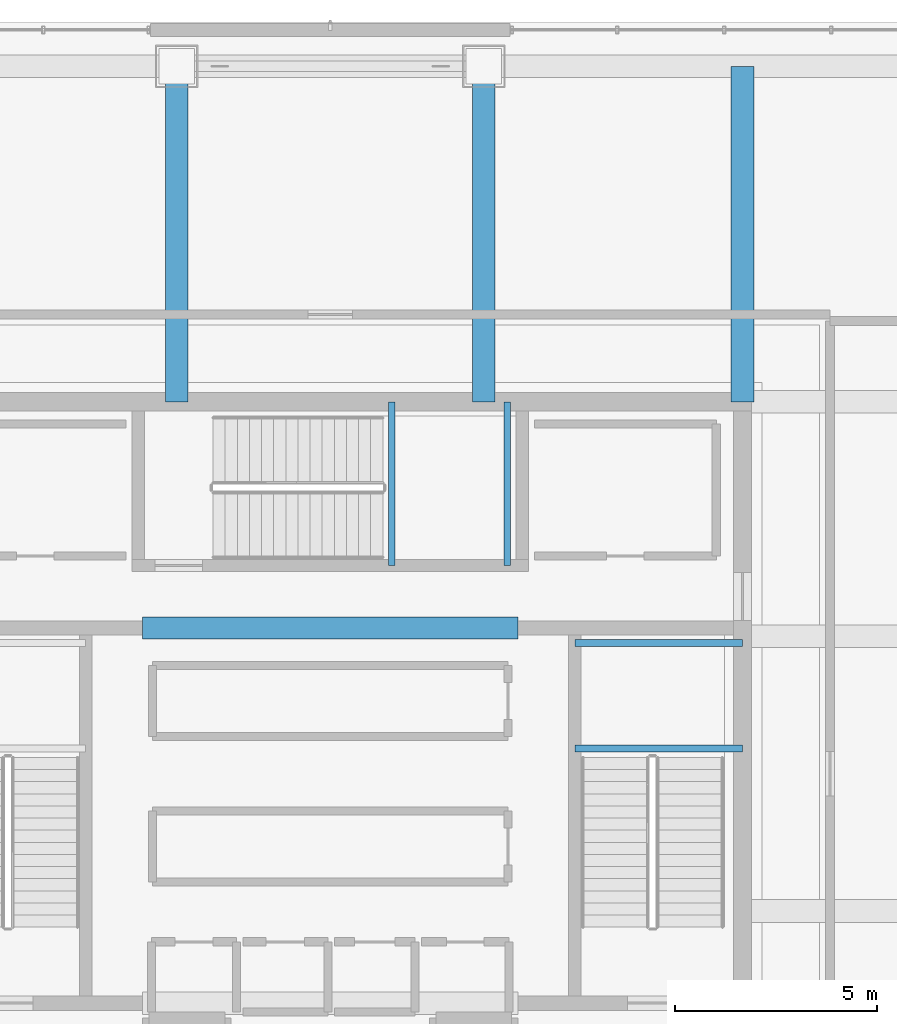
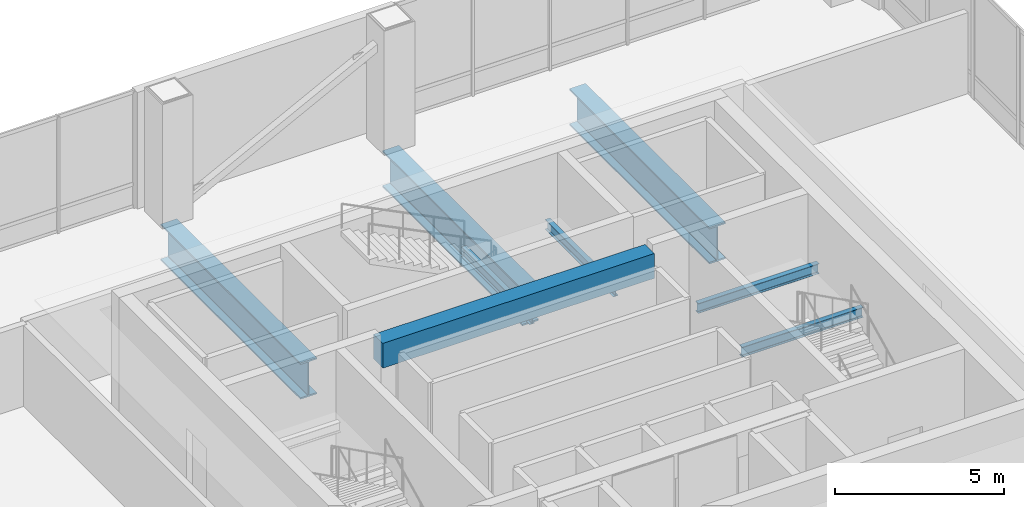
# One storey, part 13 of 33: 8 beams.
"""IFC4 building model written with IfcOpenShell, lengths in metres."""

import ifcopenshell
import ifcopenshell.guid

model = None  # the IFC model being written
_history = None  # IfcOwnerHistory: only IFC2X3 demands one
_inside = {}  # id of a spatial element -> (the spatial element, [elements in it])
_under = {}  # id of a project, library or spatial element -> (it, [spatial elements below it])
_declared = {}  # id of a project -> (the project, [libraries it declares])
_typed = {}  # id of a type object -> (the type object, [elements of that type])
_made_of = {}  # id of a material, layer set ... -> (it, [elements and type objects made of it])


def new_model(schema):
    """Start an empty IFC model of exactly this schema.

    Asked for "IFC4X3", IfcOpenShell would pick the latest addendum, in which some entities
    have other attributes; the version numbers below select the first issue.
    IFC2X3 requires an IfcOwnerHistory on every rooted entity: one is made here for all.
    """
    global model, _history
    if schema == "IFC4X3":
        model = ifcopenshell.file(schema_version=(4, 3, 0, 0))
    else:
        model = ifcopenshell.file(schema=schema)
    _inside.clear()
    _under.clear()
    _declared.clear()
    _typed.clear()
    _made_of.clear()
    _history = None
    if model.schema == "IFC2X3":
        org = make("IfcOrganization", Name="unknown")
        user = make(
            "IfcPersonAndOrganization",
            ThePerson=make("IfcPerson", FamilyName="unknown"),
            TheOrganization=org,
        )
        app = make(
            "IfcApplication",
            ApplicationDeveloper=org,
            Version="unknown",
            ApplicationFullName="unknown",
            ApplicationIdentifier="unknown",
        )
        _history = make(
            "IfcOwnerHistory",
            OwningUser=user,
            OwningApplication=app,
            ChangeAction="ADDED",
            CreationDate=0,
        )
    return model


def make(cls, **values):
    """One entity of the class cls with the attributes given. An attribute that is None is left unset."""
    return model.create_entity(
        cls, **{name: value for name, value in values.items() if value is not None}
    )


def rooted(cls, **values):
    """An entity with a GlobalId (a new one), such as an element, a storey or a relation."""
    return make(cls, GlobalId=ifcopenshell.guid.new(), OwnerHistory=_history, **values)


def si_unit(unit_type, name, prefix=None):
    """IfcSIUnit, for example si_unit("LENGTHUNIT", "METRE", prefix="MILLI")."""
    return make("IfcSIUnit", UnitType=unit_type, Prefix=prefix, Name=name)


def assignment(units):
    """IfcUnitAssignment: the units of a project."""
    return None if units is None else make("IfcUnitAssignment", Units=units)


def point(xyz):
    """IfcCartesianPoint."""
    return None if xyz is None else make("IfcCartesianPoint", Coordinates=xyz)


def direction(xyz):
    """IfcDirection."""
    return None if xyz is None else make("IfcDirection", DirectionRatios=xyz)


def frame(location, z_axis=None, x_axis=None):
    """IfcAxis2Placement3D, a coordinate frame: its origin and axes. An axis left out is left unset."""
    return make(
        "IfcAxis2Placement3D",
        Location=point(location),
        Axis=direction(z_axis),
        RefDirection=direction(x_axis),
    )


def frame_2d(location, x_axis=None):
    """IfcAxis2Placement2D, a coordinate frame in the plane: its origin and x axis."""
    return make(
        "IfcAxis2Placement2D", Location=point(location), RefDirection=direction(x_axis)
    )


def origin():
    """The frame at (0, 0, 0) with its axes left unset."""
    return frame((0.0, 0.0, 0.0))


def origin_2d():
    """The frame at (0, 0) in the plane with its x axis left unset."""
    return frame_2d((0.0, 0.0))


def place(relative_to, where):
    """IfcLocalPlacement: puts the frame where relative to a parent placement (None: the world)."""
    return make(
        "IfcLocalPlacement", PlacementRelTo=relative_to, RelativePlacement=where
    )


def context(
    kind, dimensions, precision=None, world=None, true_north=None, identifier=None
):
    """IfcGeometricRepresentationContext, for example the 3D "Model" context."""
    return make(
        "IfcGeometricRepresentationContext",
        ContextIdentifier=identifier,
        ContextType=kind,
        CoordinateSpaceDimension=dimensions,
        Precision=precision,
        WorldCoordinateSystem=world,
        TrueNorth=true_north,
    )


def subcontext(parent, identifier, kind, view, scale=None):
    """IfcGeometricRepresentationSubContext, for example "Body" below "Model"."""
    return make(
        "IfcGeometricRepresentationSubContext",
        ContextIdentifier=identifier,
        ContextType=kind,
        ParentContext=parent,
        TargetScale=scale,
        TargetView=view,
    )


def project(units=None, contexts=None):
    """IfcProject with its units and contexts."""
    return rooted(
        "IfcProject",
        Name="project",
        RepresentationContexts=contexts,
        UnitsInContext=assignment(units),
    )


def spatial(cls, under=None, at=None, **own):
    """A site, building, storey or space (cls), placed at a placement, below another one or the project."""
    s = rooted(cls, ObjectPlacement=at, **own)
    if under is not None:
        _under.setdefault(under.id(), (under, []))[1].append(s)
    return s


def profile(cls, at=None, kind="AREA", **sizes):
    """A parametric profile (cls). Its sizes go by their IFC names, for example OverallWidth=200.0."""
    return make(cls, ProfileType=kind, Position=at, **sizes)


def rectangle(**sizes):
    """IfcRectangleProfileDef."""
    return profile("IfcRectangleProfileDef", **sizes)


def i_section(**sizes):
    """IfcIShapeProfileDef."""
    return profile("IfcIShapeProfileDef", **sizes)


def extrude(swept, where, along, depth):
    """IfcExtrudedAreaSolid: the profile swept, set in the frame where, extruded along a direction by depth."""
    return make(
        "IfcExtrudedAreaSolid",
        SweptArea=swept,
        Position=where,
        ExtrudedDirection=direction(along),
        Depth=depth,
    )


def shape(context_of_items, identifier, shape_type, items):
    """IfcShapeRepresentation: the items that make up one representation, for example the "Body"."""
    return make(
        "IfcShapeRepresentation",
        ContextOfItems=context_of_items,
        RepresentationIdentifier=identifier,
        RepresentationType=shape_type,
        Items=items,
    )


def material(Name=None, Category=None):
    """IfcMaterial."""
    return make("IfcMaterial", Name=Name, Category=Category)


def material_profile(
    of_material, cross_section, Name=None, Category=None, Priority=None
):
    """IfcMaterialProfile: a cross section and its material."""
    return make(
        "IfcMaterialProfile",
        Name=Name,
        Material=of_material,
        Profile=cross_section,
        Priority=Priority,
        Category=Category,
    )


def profile_set(profiles, Name=None, composite=None):
    """IfcMaterialProfileSet."""
    return make(
        "IfcMaterialProfileSet",
        Name=Name,
        MaterialProfiles=profiles,
        CompositeProfile=composite,
    )


def made_of(thing, what):
    """Note that an element or type object is made of a material, layer set ...; save() writes the relation."""
    if what is not None:
        _made_of.setdefault(what.id(), (what, []))[1].append(thing)
    return thing


def type_object(cls, material=None, **own):
    """A type object (cls), such as IfcWallType, which elements share."""
    return made_of(rooted(cls, **own), material)


def element(
    cls,
    number,
    at=None,
    inside=None,
    cuts=None,
    type_object=None,
    material=None,
    context=None,
    identifier="Body",
    shape_type=None,
    held_by="IfcProductDefinitionShape",
    body=None,
    shapes=None,
    **own,
):
    """One element of the class cls, such as IfcWall. Its Tag is "e" and its number.

    at: its placement. inside: the storey or other place that contains it. cuts: it is an
    opening in that element (IfcRelVoidsElement). A single representation is given by context,
    identifier, shape_type and body (its items); several are given by shapes. held_by: the class
    of the entity that holds the representations. save() writes the other relations.
    """
    e = rooted(cls, Tag="e%d" % number, ObjectPlacement=at, **own)
    if body is not None:
        shapes = [shape(context, identifier, shape_type, body)]
    if shapes is not None:
        e.Representation = make(held_by, Representations=shapes)
    if inside is not None:
        _inside.setdefault(inside.id(), (inside, []))[1].append(e)
    if cuts is not None:
        rooted(
            "IfcRelVoidsElement", RelatingBuildingElement=cuts, RelatedOpeningElement=e
        )
    if type_object is not None:
        _typed.setdefault(type_object.id(), (type_object, []))[1].append(e)
    return made_of(e, material)


def aggregate(whole, parts):
    """IfcRelAggregates: a whole, such as a stair, and the parts it consists of."""
    return rooted("IfcRelAggregates", RelatingObject=whole, RelatedObjects=parts)


def save(model, path):
    """Write the relations noted so far, then the file.

    IfcRelAggregates (storeys below a building ...), IfcRelContainedInSpatialStructure (elements
    in a storey), IfcRelDefinesByType, IfcRelAssociatesMaterial and IfcRelDeclares: one each for
    every whole, place, type object, material and project.
    """
    for whole, parts in _under.values():
        aggregate(whole, parts)
    for where, things in _inside.values():
        rooted(
            "IfcRelContainedInSpatialStructure",
            RelatedElements=things,
            RelatingStructure=where,
        )
    for kind, things in _typed.values():
        rooted("IfcRelDefinesByType", RelatedObjects=things, RelatingType=kind)
    for what, things in _made_of.values():
        rooted("IfcRelAssociatesMaterial", RelatedObjects=things, RelatingMaterial=what)
    for by, libraries in _declared.values():
        rooted("IfcRelDeclares", RelatingContext=by, RelatedDefinitions=libraries)
    model.write(path)


model = new_model("IFC4")

# Units and contexts
model_context = context("Model", 3, precision=1e-05, world=origin(), true_north=direction((0.0, 1.0)))
body_context = subcontext(model_context, "Body", "Model", "MODEL_VIEW")
ifc_project = project(units=[si_unit("LENGTHUNIT", "METRE"), si_unit("AREAUNIT", "SQUARE_METRE"), si_unit("VOLUMEUNIT", "CUBIC_METRE"), si_unit("PLANEANGLEUNIT", "RADIAN"), si_unit("MASSUNIT", "GRAM", prefix="KILO")], contexts=[model_context])

# Site, building, storey
site_placement = place(None, origin())
site = spatial("IfcSite", under=ifc_project, at=site_placement, CompositionType="ELEMENT")
building_placement = place(site_placement, origin())
building = spatial("IfcBuilding", under=site, at=building_placement, Name="Punatoya Terracotta Tower", CompositionType="ELEMENT")
storey_placement = place(building_placement, frame((0.0, 0.0, 348.300048828125)))
storey = spatial("IfcBuildingStorey", under=building, at=storey_placement, Name="L82", CompositionType="ELEMENT", Elevation=348.300048828125)

# Beams
ifc_material_1 = material(Name="Concrete C50/60", Category="concrete")
ifc_material_profile_1 = material_profile(ifc_material_1, rectangle(XDim=0.550048828125, YDim=0.89990234375, at=origin_2d()))
ifc_profile_set_1 = profile_set([ifc_material_profile_1], Name="Concrete C50/60")
beam_type_1 = type_object("IfcBeamType", Name="BM-RC-900", PredefinedType="LINTEL", material=ifc_profile_set_1)
beam_placement = place(storey_placement, frame((-4.64990234375, 3.60009765625, 3.800048828125), z_axis=(1.0, 0.0, 0.0), x_axis=(0.0, 1.0, 0.0)))
element("IfcBeam", 1, at=beam_placement, inside=storey, type_object=beam_type_1, Name="L82 Core Coupling Lintel CNW", PredefinedType="LINTEL", context=body_context, shape_type="SweptSolid", body=[
    extrude(rectangle(XDim=0.550048828125, YDim=0.89990234375, at=origin_2d()), origin(), (0.0, 0.0, 1.0), 9.2998046875),
])
ifc_material_2 = material(Name="Steel S355", Category="steel")
ifc_material_profile_2 = material_profile(ifc_material_2, i_section(OverallWidth=0.169921875, OverallDepth=0.360107421875, WebThickness=0.008056640625, FlangeThickness=0.0126953125, FilletRadius=0.01806640625, at=origin_2d()))
ifc_profile_set_2 = profile_set([ifc_material_profile_2], Name="Steel S355")
beam_type_2 = type_object("IfcBeamType", Name="BM-SEC-360", PredefinedType="JOIST", material=ifc_profile_set_2)
for number, where, z_axis, x_axis, name in (
    (2, (6.050048828125, 0.6201171875, 1.869873046875), (1.0, 0.0, 0.0), (0.0, 1.0, 0.0), "BM-L82-ST-2-LD1A"),
    (3, (6.050048828125, 3.22998046875, 1.869873046875), (1.0, 0.0, 0.0), (0.0, 1.0, 0.0), "BM-L82-ST-2-LD1B"),
):
    element("IfcBeam", number, at=place(storey_placement, frame(where, z_axis=z_axis, x_axis=x_axis)), inside=storey, type_object=beam_type_2, Name=name, PredefinedType="JOIST", context=body_context, shape_type="SweptSolid", body=[
        extrude(i_section(OverallWidth=0.169921875, OverallDepth=0.360107421875, WebThickness=0.008056640625, FlangeThickness=0.0126953125, FilletRadius=0.01806640625, at=origin_2d()), origin(), (0.0, 0.0, 1.0), 4.14990234375),
    ])
for number, where, z_axis, x_axis, name in (
    (4, (1.52001953125, 5.14990234375, 1.869873046875), (0.0, 1.0, 0.0), (-1.0, 0.0, 0.0), "BM-L82-ST-3-LD1A"),
    (5, (4.3798828125, 5.14990234375, 1.869873046875), (0.0, 1.0, 0.0), (-1.0, 0.0, 0.0), "BM-L82-ST-3-LD1B"),
):
    element("IfcBeam", number, at=place(storey_placement, frame(where, z_axis=z_axis, x_axis=x_axis)), inside=storey, type_object=beam_type_2, Name=name, PredefinedType="JOIST", context=body_context, shape_type="SweptSolid", body=[
        extrude(i_section(OverallWidth=0.169921875, OverallDepth=0.360107421875, WebThickness=0.008056640625, FlangeThickness=0.0126953125, FilletRadius=0.01806640625, at=origin_2d()), origin(), (0.0, 0.0, 1.0), 4.050048828125),
    ])
ifc_material_3 = material(Name="Steel S460", Category="steel")
ifc_material_profile_3 = material_profile(ifc_material_3, i_section(OverallWidth=0.56005859375, OverallDepth=1.320068359375, WebThickness=0.035888671875, FlangeThickness=0.054931640625, FilletRadius=0.01806640625, at=origin_2d()))
ifc_profile_set_3 = profile_set([ifc_material_profile_3], Name="Steel S460")
beam_type_3 = type_object("IfcBeamType", Name="BM-TG-BLK", PredefinedType="BEAM", material=ifc_profile_set_3)
for number, where, z_axis, x_axis, name in (
    (6, (-3.800048828125, 9.199951171875, -0.880126953125), (0.0, 1.0, 0.0), (-1.0, 0.0, 0.0), "BM-L82-PR-N2"),
    (7, (3.800048828125, 9.199951171875, -0.880126953125), (0.0, 1.0, 0.0), (-1.0, 0.0, 0.0), "BM-L82-PR-N3"),
    (8, (10.199951171875, 9.199951171875, -0.880126953125), (0.0, 1.0, 0.0), (-1.0, 0.0, 0.0), "BM-L82-PR-N4"),
):
    element("IfcBeam", number, at=place(storey_placement, frame(where, z_axis=z_axis, x_axis=x_axis)), inside=storey, type_object=beam_type_3, Name=name, PredefinedType="BEAM", context=body_context, shape_type="SweptSolid", body=[
        extrude(i_section(OverallWidth=0.56005859375, OverallDepth=1.320068359375, WebThickness=0.035888671875, FlangeThickness=0.054931640625, FilletRadius=0.01806640625, at=origin_2d()), origin(), (0.0, 0.0, 1.0), 8.300048828125),
    ])

save(model, "model.ifc")
